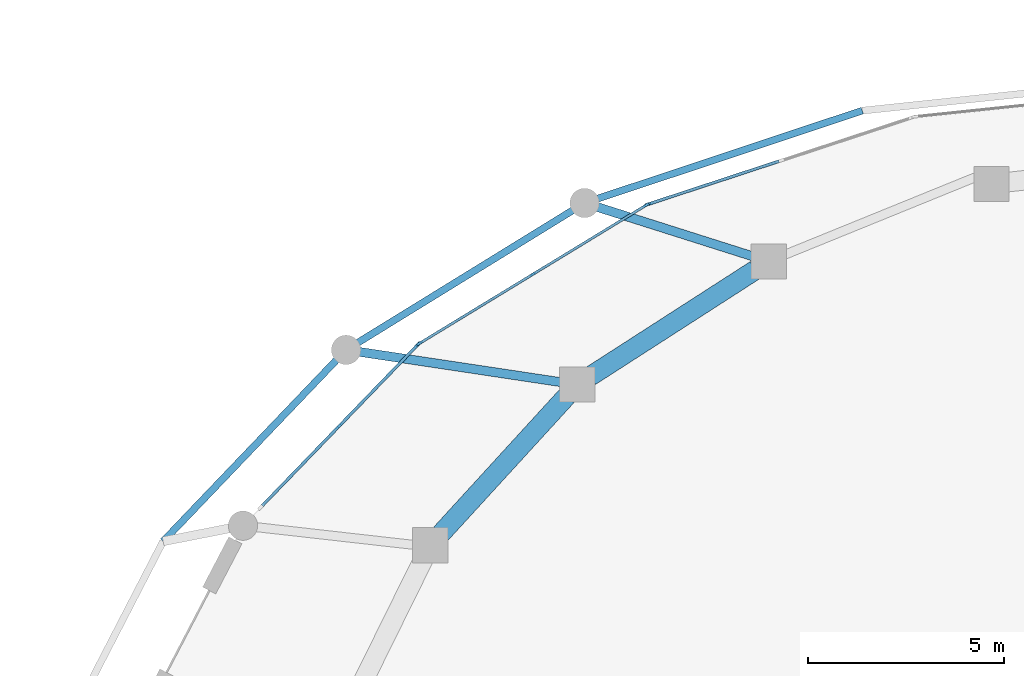
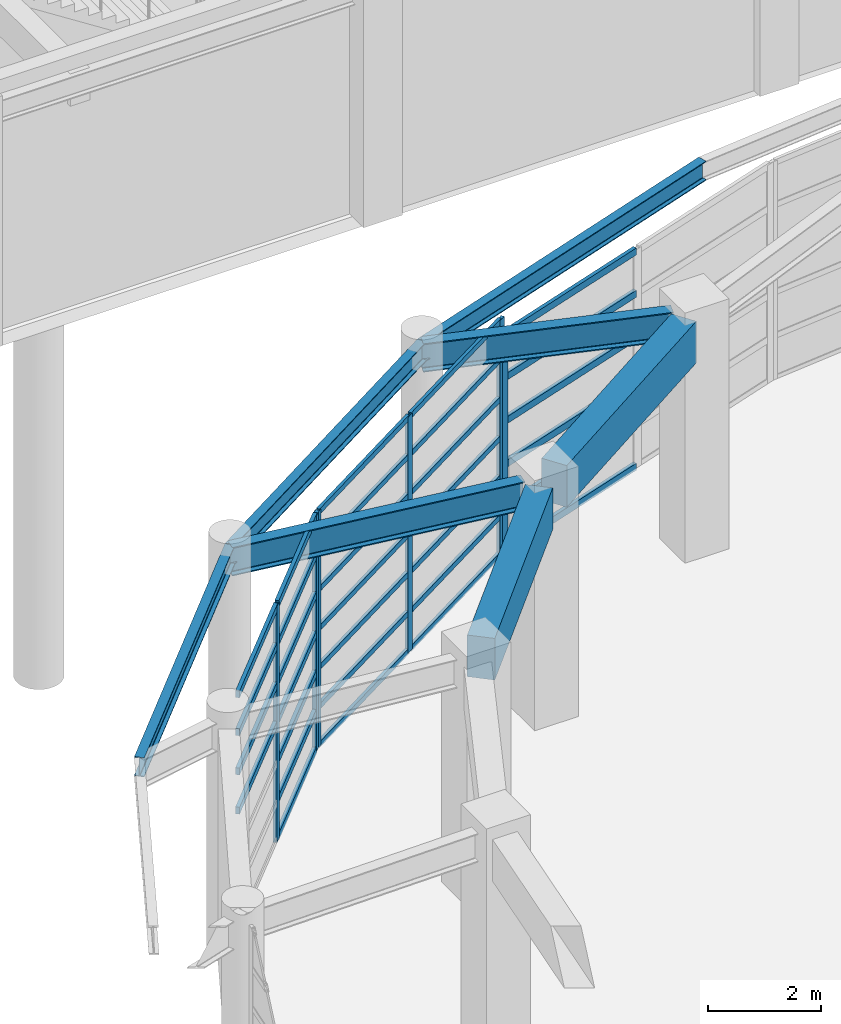
# One storey, part 6 of 52: 37 members, 7 beams, 3 elements without a shape of their own.
"""IFC4 building model written with IfcOpenShell, lengths in metres."""

import ifcopenshell
import ifcopenshell.guid

model = None  # the IFC model being written
_history = None  # IfcOwnerHistory: only IFC2X3 demands one
_inside = {}  # id of a spatial element -> (the spatial element, [elements in it])
_under = {}  # id of a project, library or spatial element -> (it, [spatial elements below it])
_declared = {}  # id of a project -> (the project, [libraries it declares])
_typed = {}  # id of a type object -> (the type object, [elements of that type])
_made_of = {}  # id of a material, layer set ... -> (it, [elements and type objects made of it])


def new_model(schema):
    """Start an empty IFC model of exactly this schema.

    Asked for "IFC4X3", IfcOpenShell would pick the latest addendum, in which some entities
    have other attributes; the version numbers below select the first issue.
    IFC2X3 requires an IfcOwnerHistory on every rooted entity: one is made here for all.
    """
    global model, _history
    if schema == "IFC4X3":
        model = ifcopenshell.file(schema_version=(4, 3, 0, 0))
    else:
        model = ifcopenshell.file(schema=schema)
    _inside.clear()
    _under.clear()
    _declared.clear()
    _typed.clear()
    _made_of.clear()
    _history = None
    if model.schema == "IFC2X3":
        org = make("IfcOrganization", Name="unknown")
        user = make(
            "IfcPersonAndOrganization",
            ThePerson=make("IfcPerson", FamilyName="unknown"),
            TheOrganization=org,
        )
        app = make(
            "IfcApplication",
            ApplicationDeveloper=org,
            Version="unknown",
            ApplicationFullName="unknown",
            ApplicationIdentifier="unknown",
        )
        _history = make(
            "IfcOwnerHistory",
            OwningUser=user,
            OwningApplication=app,
            ChangeAction="ADDED",
            CreationDate=0,
        )
    return model


def make(cls, **values):
    """One entity of the class cls with the attributes given. An attribute that is None is left unset."""
    return model.create_entity(
        cls, **{name: value for name, value in values.items() if value is not None}
    )


def rooted(cls, **values):
    """An entity with a GlobalId (a new one), such as an element, a storey or a relation."""
    return make(cls, GlobalId=ifcopenshell.guid.new(), OwnerHistory=_history, **values)


def si_unit(unit_type, name, prefix=None):
    """IfcSIUnit, for example si_unit("LENGTHUNIT", "METRE", prefix="MILLI")."""
    return make("IfcSIUnit", UnitType=unit_type, Prefix=prefix, Name=name)


def assignment(units):
    """IfcUnitAssignment: the units of a project."""
    return None if units is None else make("IfcUnitAssignment", Units=units)


def point(xyz):
    """IfcCartesianPoint."""
    return None if xyz is None else make("IfcCartesianPoint", Coordinates=xyz)


def direction(xyz):
    """IfcDirection."""
    return None if xyz is None else make("IfcDirection", DirectionRatios=xyz)


def frame(location, z_axis=None, x_axis=None):
    """IfcAxis2Placement3D, a coordinate frame: its origin and axes. An axis left out is left unset."""
    return make(
        "IfcAxis2Placement3D",
        Location=point(location),
        Axis=direction(z_axis),
        RefDirection=direction(x_axis),
    )


def frame_2d(location, x_axis=None):
    """IfcAxis2Placement2D, a coordinate frame in the plane: its origin and x axis."""
    return make(
        "IfcAxis2Placement2D", Location=point(location), RefDirection=direction(x_axis)
    )


def origin():
    """The frame at (0, 0, 0) with its axes left unset."""
    return frame((0.0, 0.0, 0.0))


def origin_2d():
    """The frame at (0, 0) in the plane with its x axis left unset."""
    return frame_2d((0.0, 0.0))


def place(relative_to, where):
    """IfcLocalPlacement: puts the frame where relative to a parent placement (None: the world)."""
    return make(
        "IfcLocalPlacement", PlacementRelTo=relative_to, RelativePlacement=where
    )


def context(
    kind, dimensions, precision=None, world=None, true_north=None, identifier=None
):
    """IfcGeometricRepresentationContext, for example the 3D "Model" context."""
    return make(
        "IfcGeometricRepresentationContext",
        ContextIdentifier=identifier,
        ContextType=kind,
        CoordinateSpaceDimension=dimensions,
        Precision=precision,
        WorldCoordinateSystem=world,
        TrueNorth=true_north,
    )


def subcontext(parent, identifier, kind, view, scale=None):
    """IfcGeometricRepresentationSubContext, for example "Body" below "Model"."""
    return make(
        "IfcGeometricRepresentationSubContext",
        ContextIdentifier=identifier,
        ContextType=kind,
        ParentContext=parent,
        TargetScale=scale,
        TargetView=view,
    )


def project(units=None, contexts=None):
    """IfcProject with its units and contexts."""
    return rooted(
        "IfcProject",
        Name="project",
        RepresentationContexts=contexts,
        UnitsInContext=assignment(units),
    )


def spatial(cls, under=None, at=None, **own):
    """A site, building, storey or space (cls), placed at a placement, below another one or the project."""
    s = rooted(cls, ObjectPlacement=at, **own)
    if under is not None:
        _under.setdefault(under.id(), (under, []))[1].append(s)
    return s


def profile(cls, at=None, kind="AREA", **sizes):
    """A parametric profile (cls). Its sizes go by their IFC names, for example OverallWidth=200.0."""
    return make(cls, ProfileType=kind, Position=at, **sizes)


def rectangle(**sizes):
    """IfcRectangleProfileDef."""
    return profile("IfcRectangleProfileDef", **sizes)


def i_section(**sizes):
    """IfcIShapeProfileDef."""
    return profile("IfcIShapeProfileDef", **sizes)


def extrude(swept, where, along, depth):
    """IfcExtrudedAreaSolid: the profile swept, set in the frame where, extruded along a direction by depth."""
    return make(
        "IfcExtrudedAreaSolid",
        SweptArea=swept,
        Position=where,
        ExtrudedDirection=direction(along),
        Depth=depth,
    )


def shape(context_of_items, identifier, shape_type, items):
    """IfcShapeRepresentation: the items that make up one representation, for example the "Body"."""
    return make(
        "IfcShapeRepresentation",
        ContextOfItems=context_of_items,
        RepresentationIdentifier=identifier,
        RepresentationType=shape_type,
        Items=items,
    )


def material(Name=None, Category=None):
    """IfcMaterial."""
    return make("IfcMaterial", Name=Name, Category=Category)


def material_profile(
    of_material, cross_section, Name=None, Category=None, Priority=None
):
    """IfcMaterialProfile: a cross section and its material."""
    return make(
        "IfcMaterialProfile",
        Name=Name,
        Material=of_material,
        Profile=cross_section,
        Priority=Priority,
        Category=Category,
    )


def profile_set(profiles, Name=None, composite=None):
    """IfcMaterialProfileSet."""
    return make(
        "IfcMaterialProfileSet",
        Name=Name,
        MaterialProfiles=profiles,
        CompositeProfile=composite,
    )


def made_of(thing, what):
    """Note that an element or type object is made of a material, layer set ...; save() writes the relation."""
    if what is not None:
        _made_of.setdefault(what.id(), (what, []))[1].append(thing)
    return thing


def type_object(cls, material=None, **own):
    """A type object (cls), such as IfcWallType, which elements share."""
    return made_of(rooted(cls, **own), material)


def element(
    cls,
    number,
    at=None,
    inside=None,
    cuts=None,
    type_object=None,
    material=None,
    context=None,
    identifier="Body",
    shape_type=None,
    held_by="IfcProductDefinitionShape",
    body=None,
    shapes=None,
    **own,
):
    """One element of the class cls, such as IfcWall. Its Tag is "e" and its number.

    at: its placement. inside: the storey or other place that contains it. cuts: it is an
    opening in that element (IfcRelVoidsElement). A single representation is given by context,
    identifier, shape_type and body (its items); several are given by shapes. held_by: the class
    of the entity that holds the representations. save() writes the other relations.
    """
    e = rooted(cls, Tag="e%d" % number, ObjectPlacement=at, **own)
    if body is not None:
        shapes = [shape(context, identifier, shape_type, body)]
    if shapes is not None:
        e.Representation = make(held_by, Representations=shapes)
    if inside is not None:
        _inside.setdefault(inside.id(), (inside, []))[1].append(e)
    if cuts is not None:
        rooted(
            "IfcRelVoidsElement", RelatingBuildingElement=cuts, RelatedOpeningElement=e
        )
    if type_object is not None:
        _typed.setdefault(type_object.id(), (type_object, []))[1].append(e)
    return made_of(e, material)


def aggregate(whole, parts):
    """IfcRelAggregates: a whole, such as a stair, and the parts it consists of."""
    return rooted("IfcRelAggregates", RelatingObject=whole, RelatedObjects=parts)


def save(model, path):
    """Write the relations noted so far, then the file.

    IfcRelAggregates (storeys below a building ...), IfcRelContainedInSpatialStructure (elements
    in a storey), IfcRelDefinesByType, IfcRelAssociatesMaterial and IfcRelDeclares: one each for
    every whole, place, type object, material and project.
    """
    for whole, parts in _under.values():
        aggregate(whole, parts)
    for where, things in _inside.values():
        rooted(
            "IfcRelContainedInSpatialStructure",
            RelatedElements=things,
            RelatingStructure=where,
        )
    for kind, things in _typed.values():
        rooted("IfcRelDefinesByType", RelatedObjects=things, RelatingType=kind)
    for what, things in _made_of.values():
        rooted("IfcRelAssociatesMaterial", RelatedObjects=things, RelatingMaterial=what)
    for by, libraries in _declared.values():
        rooted("IfcRelDeclares", RelatingContext=by, RelatedDefinitions=libraries)
    model.write(path)


model = new_model("IFC4")

# Units and contexts
model_context = context("Model", 3, precision=1e-05, world=origin(), true_north=direction((0.0, 1.0)))
body_context = subcontext(model_context, "Body", "Model", "MODEL_VIEW")
ifc_project = project(units=[si_unit("LENGTHUNIT", "METRE"), si_unit("AREAUNIT", "SQUARE_METRE"), si_unit("VOLUMEUNIT", "CUBIC_METRE"), si_unit("PLANEANGLEUNIT", "RADIAN"), si_unit("MASSUNIT", "GRAM", prefix="KILO")], contexts=[model_context])

# Site, building, storey
site_placement = place(None, origin())
site = spatial("IfcSite", under=ifc_project, at=site_placement, CompositionType="ELEMENT")
building_placement = place(site_placement, origin())
building = spatial("IfcBuilding", under=site, at=building_placement, Name="Parian Resonance Hall", CompositionType="ELEMENT")
storey_placement = place(building_placement, origin())
storey = spatial("IfcBuildingStorey", under=building, at=storey_placement, Name="L00", CompositionType="ELEMENT", Elevation=0.0)

# Beams
ifc_material_1 = material(Name="Concrete C40/50", Category="concrete")
ifc_material_profile_1 = material_profile(ifc_material_1, rectangle(XDim=0.5, YDim=0.89990234375, at=origin_2d()), Name="RC-BM-500x900")
ifc_profile_set_1 = profile_set([ifc_material_profile_1], Name="Concrete C40/50")
beam_type_1 = type_object("IfcBeamType", Name="BM-RC500x900", PredefinedType="USERDEFINED", material=ifc_profile_set_1)
beam_1_placement = place(storey_placement, frame((31.86376953125, 60.930908203125, 4.679931640625), z_axis=(-0.840822266108, -0.541311293819, 0.0), x_axis=(0.541311293819, -0.840822266108, 0.0)))
element("IfcBeam", 1, at=beam_1_placement, inside=storey, type_object=beam_type_1, Name="Concert hall drum ring beam L00-09", ObjectType="GIRDER", PredefinedType="USERDEFINED", context=body_context, shape_type="SweptSolid", body=[
    extrude(rectangle(XDim=0.5, YDim=0.89990234375, at=origin_2d()), origin(), (0.0, 0.0, 1.0), 5.012939453125),
])
beam_2_placement = place(storey_placement, frame((27.042236328125, 57.70556640625, 4.679931640625), z_axis=(-0.674892190981, -0.737916343872, 0.0), x_axis=(0.737916343872, -0.674892190981, 0.0)))
element("IfcBeam", 2, at=beam_2_placement, inside=storey, type_object=beam_type_1, Name="Concert hall drum ring beam L00-10", ObjectType="GIRDER", PredefinedType="USERDEFINED", context=body_context, shape_type="SweptSolid", body=[
    extrude(rectangle(XDim=0.5, YDim=0.89990234375, at=origin_2d()), origin(), (0.0, 0.0, 1.0), 4.757080078125),
])
ifc_material_2 = material(Name="Steel S355", Category="steel")
ifc_material_profile_2 = material_profile(ifc_material_2, i_section(OverallWidth=0.180908203125, OverallDepth=0.4169921875, WebThickness=0.010986328125, FlangeThickness=0.018310546875, FilletRadius=0.01513671875, at=origin_2d()), Name="W410x85")
ifc_profile_set_2 = profile_set([ifc_material_profile_2], Name="Steel S355")
beam_type_2 = type_object("IfcBeamType", Name="BM-W410x85", PredefinedType="SPANDREL", material=ifc_profile_set_2)
beam_3_placement = place(storey_placement, frame((34.5908203125, 64.995849609375, 4.92138671875), z_axis=(-0.94892153281, -0.315512162317, 0.0), x_axis=(0.315512162317, -0.94892153281, 0.0)))
element("IfcBeam", 3, at=beam_3_placement, inside=storey, type_object=beam_type_2, Name="Elliptical R1 perimeter spandrel beam 08", PredefinedType="SPANDREL", context=body_context, shape_type="SweptSolid", body=[
    extrude(i_section(OverallWidth=0.180908203125, OverallDepth=0.4169921875, WebThickness=0.010986328125, FlangeThickness=0.018310546875, FilletRadius=0.01513671875, at=origin_2d()), origin(), (0.0, 0.0, 1.0), 7.472412109375),
])
beam_4_placement = place(storey_placement, frame((27.5, 62.63818359375, 4.92138671875), z_axis=(-0.851440218802, -0.524451669657, 0.0), x_axis=(0.524451669657, -0.851440218802, 0.0)))
element("IfcBeam", 4, at=beam_4_placement, inside=storey, type_object=beam_type_2, Name="Elliptical R1 perimeter spandrel beam 09", PredefinedType="SPANDREL", context=body_context, shape_type="SweptSolid", body=[
    extrude(i_section(OverallWidth=0.180908203125, OverallDepth=0.4169921875, WebThickness=0.010986328125, FlangeThickness=0.018310546875, FilletRadius=0.01513671875, at=origin_2d()), origin(), (0.0, 0.0, 1.0), 7.1513671875),
])
beam_5_placement = place(storey_placement, frame((21.4111328125, 58.8876953125, 4.92138671875), z_axis=(-0.690985683524, -0.722868442502, 0.0), x_axis=(0.722868442502, -0.690985683524, 0.0)))
element("IfcBeam", 5, at=beam_5_placement, inside=storey, type_object=beam_type_2, Name="Elliptical R1 perimeter spandrel beam 10", PredefinedType="SPANDREL", context=body_context, shape_type="SweptSolid", body=[
    extrude(i_section(OverallWidth=0.180908203125, OverallDepth=0.4169921875, WebThickness=0.010986328125, FlangeThickness=0.018310546875, FilletRadius=0.01513671875, at=origin_2d()), origin(), (0.0, 0.0, 1.0), 6.761474609375),
])
ifc_material_3 = material(Name="Steel S355", Category="steel")
ifc_material_profile_3 = material_profile(ifc_material_3, i_section(OverallWidth=0.22998046875, OverallDepth=0.616943359375, WebThickness=0.01318359375, FlangeThickness=0.022216796875, FilletRadius=0.017822265625, at=origin_2d()), Name="W610x140")
ifc_profile_set_3 = profile_set([ifc_material_profile_3], Name="Steel S355")
beam_type_3 = type_object("IfcBeamType", Name="CG1 W610x140", PredefinedType="USERDEFINED", material=ifc_profile_set_3)
beam_6_placement = place(storey_placement, frame((31.818603515625, 61.268310546875, 4.821533203125), z_axis=(-0.953195036993, 0.302356116941, 0.0), x_axis=(-0.302356116941, -0.953195036993, 0.0)))
element("IfcBeam", 6, at=beam_6_placement, inside=storey, type_object=beam_type_3, Name="Radial spine girder R1-09", ObjectType="GIRDER", PredefinedType="USERDEFINED", context=body_context, shape_type="SweptSolid", body=[
    extrude(i_section(OverallWidth=0.22998046875, OverallDepth=0.616943359375, WebThickness=0.01318359375, FlangeThickness=0.022216796875, FilletRadius=0.017822265625, at=origin_2d()), origin(), (0.0, 0.0, 1.0), 4.53076171875),
])
beam_7_placement = place(storey_placement, frame((26.916748046875, 58.060302734375, 4.821533203125), z_axis=(-0.988895465918, 0.148612776994, 0.0), x_axis=(-0.148612776994, -0.988895465918, 0.0)))
element("IfcBeam", 7, at=beam_7_placement, inside=storey, type_object=beam_type_3, Name="Radial spine girder R1-10", ObjectType="GIRDER", PredefinedType="USERDEFINED", context=body_context, shape_type="SweptSolid", body=[
    extrude(i_section(OverallWidth=0.22998046875, OverallDepth=0.616943359375, WebThickness=0.01318359375, FlangeThickness=0.022216796875, FilletRadius=0.017822265625, at=origin_2d()), origin(), (0.0, 0.0, 1.0), 5.5673828125),
])

# Curtain wall, members
ifc_material_4 = material(Name="Bronze-anodised aluminium frame", Category="aluminium")
curtain_wall_type_1 = type_object("IfcCurtainWallType", Name="CW-SYS-03", PredefinedType="NOTDEFINED", material=ifc_material_4)
curtain_wall_1_placement = place(storey_placement, origin())
curtain_wall_1 = element("IfcCurtainWall", 8, at=curtain_wall_1_placement, inside=storey, type_object=curtain_wall_type_1, Name="Grand foyer recessed base curtain wall 09", PredefinedType="NOTDEFINED")
ifc_material_5 = material(Name="Bronze-anodised aluminium frame", Category="aluminium")
ifc_material_profile_4 = material_profile(ifc_material_5, rectangle(XDim=0.06494140625, YDim=0.159912109375, at=origin_2d()), Name="CWM-65x160")
ifc_profile_set_4 = profile_set([ifc_material_profile_4], Name="Bronze-anodised aluminium frame")
member_type_1 = type_object("IfcMemberType", Name="CWM-65x160", PredefinedType="MULLION", material=ifc_profile_set_4)
member_1_placement = place(storey_placement, frame((23.287353515625, 59.05615234375, -0.008056640625), z_axis=(0.0, 0.0, 1.0), x_axis=(-0.520456127538, 0.853888411508, 0.0)))
member_1 = element("IfcMember", 9, at=member_1_placement, type_object=member_type_1, Name="CW-03 mullion 1", PredefinedType="MULLION", context=body_context, shape_type="SweptSolid", body=[
    extrude(rectangle(XDim=0.06494140625, YDim=0.159912109375, at=origin_2d()), origin(), (0.0, 0.0, 1.0), 5.09814453125),
])
member_2_placement = place(storey_placement, frame((26.1796875, 60.819091796875, -0.008056640625), z_axis=(0.0, 0.0, 1.0), x_axis=(-0.520456127538, 0.853888411508, 0.0)))
member_2 = element("IfcMember", 10, at=member_2_placement, type_object=member_type_1, Name="CW-03 mullion 2", PredefinedType="MULLION", context=body_context, shape_type="SweptSolid", body=[
    extrude(rectangle(XDim=0.06494140625, YDim=0.159912109375, at=origin_2d()), origin(), (0.0, 0.0, 1.0), 5.09814453125),
])
member_3_placement = place(storey_placement, frame((29.072265625, 62.58203125, -0.008056640625), z_axis=(0.0, 0.0, 1.0), x_axis=(-0.520456127538, 0.853888411508, 0.0)))
member_3 = element("IfcMember", 11, at=member_3_placement, type_object=member_type_1, Name="CW-03 mullion 3", PredefinedType="MULLION", context=body_context, shape_type="SweptSolid", body=[
    extrude(rectangle(XDim=0.06494140625, YDim=0.159912109375, at=origin_2d()), origin(), (0.0, 0.0, 1.0), 5.09814453125),
])

# Curtain wall, member
ifc_material_6 = material(Name="Bronze-anodised aluminium frame", Category="aluminium")
curtain_wall_type_2 = type_object("IfcCurtainWallType", Name="CW-SYS-02", PredefinedType="NOTDEFINED", material=ifc_material_6)
curtain_wall_2_placement = place(storey_placement, origin())
curtain_wall_2 = element("IfcCurtainWall", 12, at=curtain_wall_2_placement, inside=storey, type_object=curtain_wall_type_2, Name="Grand foyer recessed base curtain wall 08", PredefinedType="NOTDEFINED")
ifc_material_7 = material(Name="Bronze-anodised aluminium frame", Category="aluminium")
ifc_material_profile_5 = material_profile(ifc_material_7, rectangle(XDim=0.074951171875, YDim=0.199951171875, at=origin_2d()), Name="CWM-75x200")
ifc_profile_set_5 = profile_set([ifc_material_profile_5], Name="Bronze-anodised aluminium frame")
member_type_2 = type_object("IfcMemberType", Name="CWM-75x200", PredefinedType="MULLION", material=ifc_profile_set_5)
member_4_placement = place(storey_placement, frame((29.1357421875, 62.61083984375, -0.008056640625), z_axis=(0.0, 0.0, 1.0), x_axis=(-0.312529813739, 0.94990795108, 0.0)))
member_4 = element("IfcMember", 13, at=member_4_placement, type_object=member_type_2, Name="CW-02 mullion 1", PredefinedType="MULLION", context=body_context, shape_type="SweptSolid", body=[
    extrude(rectangle(XDim=0.074951171875, YDim=0.199951171875, at=origin_2d()), origin(), (0.0, 0.0, 1.0), 4.72509765625),
])

# Curtain wall, members
ifc_material_8 = material(Name="Bronze-anodised aluminium frame", Category="aluminium")
curtain_wall_type_3 = type_object("IfcCurtainWallType", Name="CW-SYS-04", PredefinedType="NOTDEFINED", material=ifc_material_8)
curtain_wall_3_placement = place(storey_placement, origin())
curtain_wall_3 = element("IfcCurtainWall", 14, at=curtain_wall_3_placement, inside=storey, type_object=curtain_wall_type_3, Name="Grand foyer recessed base curtain wall 10", PredefinedType="NOTDEFINED")
member_5_placement = place(storey_placement, frame((21.238525390625, 56.947021484375, -0.008056640625), z_axis=(0.0, 0.0, 1.0), x_axis=(-0.719222544122, 0.694779772322, 0.0)))
member_5 = element("IfcMember", 15, at=member_5_placement, type_object=member_type_2, Name="CW-04 mullion 2", PredefinedType="MULLION", context=body_context, shape_type="SweptSolid", body=[
    extrude(rectangle(XDim=0.074951171875, YDim=0.199951171875, at=origin_2d()), origin(), (0.0, 0.0, 1.0), 5.09814453125),
])
member_6_placement = place(storey_placement, frame((23.233642578125, 59.01220703125, -0.008056640625), z_axis=(0.0, 0.0, 1.0), x_axis=(-0.719222544122, 0.694779772322, 0.0)))
member_6 = element("IfcMember", 16, at=member_6_placement, type_object=member_type_2, Name="CW-04 mullion 3", PredefinedType="MULLION", context=body_context, shape_type="SweptSolid", body=[
    extrude(rectangle(XDim=0.074951171875, YDim=0.199951171875, at=origin_2d()), origin(), (0.0, 0.0, 1.0), 5.09814453125),
])

# Member
ifc_material_9 = material(Name="Bronze-anodised aluminium frame", Category="aluminium")
ifc_material_profile_6 = material_profile(ifc_material_9, rectangle(XDim=0.06494140625, YDim=0.1201171875, at=origin_2d()), Name="CWT-65x120")
ifc_profile_set_6 = profile_set([ifc_material_profile_6], Name="Bronze-anodised aluminium frame")
member_type_3 = type_object("IfcMemberType", Name="CWT-65x120", PredefinedType="USERDEFINED", material=ifc_profile_set_6)
member_7_placement = place(storey_placement, frame((23.315185546875, 59.072998046875, 0.0244140625), z_axis=(0.853873441532, 0.520480687295, 0.0), x_axis=(-0.520480687295, 0.853873441532, 0.0)))
member_7 = element("IfcMember", 17, at=member_7_placement, type_object=member_type_3, Name="CW-03 transom 1.1", ObjectType="TRANSOM", PredefinedType="USERDEFINED", context=body_context, shape_type="SweptSolid", body=[
    extrude(rectangle(XDim=0.06494140625, YDim=0.1201171875, at=origin_2d()), origin(), (0.0, 0.0, 1.0), 3.322509765625),
])

member_8_placement = place(storey_placement, frame((23.315185546875, 59.072998046875, 0.8466796875), z_axis=(0.853873441532, 0.520480687295, 0.0), x_axis=(-0.520480687295, 0.853873441532, 0.0)))
member_8 = element("IfcMember", 18, at=member_8_placement, type_object=member_type_3, Name="CW-03 transom 1.2", ObjectType="TRANSOM", PredefinedType="USERDEFINED", context=body_context, shape_type="SweptSolid", body=[
    extrude(rectangle(XDim=0.06494140625, YDim=0.1201171875, at=origin_2d()), origin(), (0.0, 0.0, 1.0), 3.322509765625),
])

member_9_placement = place(storey_placement, frame((23.315185546875, 59.072998046875, 1.693359375), z_axis=(0.853873441532, 0.520480687295, 0.0), x_axis=(-0.520480687295, 0.853873441532, 0.0)))
member_9 = element("IfcMember", 19, at=member_9_placement, type_object=member_type_3, Name="CW-03 transom 1.3", ObjectType="TRANSOM", PredefinedType="USERDEFINED", context=body_context, shape_type="SweptSolid", body=[
    extrude(rectangle(XDim=0.06494140625, YDim=0.1201171875, at=origin_2d()), origin(), (0.0, 0.0, 1.0), 3.322509765625),
])

member_10_placement = place(storey_placement, frame((23.315185546875, 59.072998046875, 2.5400390625), z_axis=(0.853873441532, 0.520480687295, 0.0), x_axis=(-0.520480687295, 0.853873441532, 0.0)))
member_10 = element("IfcMember", 20, at=member_10_placement, type_object=member_type_3, Name="CW-03 transom 1.4", ObjectType="TRANSOM", PredefinedType="USERDEFINED", context=body_context, shape_type="SweptSolid", body=[
    extrude(rectangle(XDim=0.06494140625, YDim=0.1201171875, at=origin_2d()), origin(), (0.0, 0.0, 1.0), 3.322509765625),
])

member_11_placement = place(storey_placement, frame((23.315185546875, 59.072998046875, 3.38671875), z_axis=(0.853873441532, 0.520480687295, 0.0), x_axis=(-0.520480687295, 0.853873441532, 0.0)))
member_11 = element("IfcMember", 21, at=member_11_placement, type_object=member_type_3, Name="CW-03 transom 1.5", ObjectType="TRANSOM", PredefinedType="USERDEFINED", context=body_context, shape_type="SweptSolid", body=[
    extrude(rectangle(XDim=0.06494140625, YDim=0.1201171875, at=origin_2d()), origin(), (0.0, 0.0, 1.0), 3.322509765625),
])

member_12_placement = place(storey_placement, frame((23.315185546875, 59.072998046875, 4.2333984375), z_axis=(0.853873441532, 0.520480687295, 0.0), x_axis=(-0.520480687295, 0.853873441532, 0.0)))
member_12 = element("IfcMember", 22, at=member_12_placement, type_object=member_type_3, Name="CW-03 transom 1.6", ObjectType="TRANSOM", PredefinedType="USERDEFINED", context=body_context, shape_type="SweptSolid", body=[
    extrude(rectangle(XDim=0.06494140625, YDim=0.1201171875, at=origin_2d()), origin(), (0.0, 0.0, 1.0), 3.322509765625),
])

member_13_placement = place(storey_placement, frame((23.315185546875, 59.072998046875, 5.0576171875), z_axis=(0.853873441532, 0.520480687295, 0.0), x_axis=(-0.520480687295, 0.853873441532, 0.0)))
member_13 = element("IfcMember", 23, at=member_13_placement, type_object=member_type_3, Name="CW-03 transom 1.7", ObjectType="TRANSOM", PredefinedType="USERDEFINED", context=body_context, shape_type="SweptSolid", body=[
    extrude(rectangle(XDim=0.06494140625, YDim=0.1201171875, at=origin_2d()), origin(), (0.0, 0.0, 1.0), 3.322509765625),
])

member_14_placement = place(storey_placement, frame((26.20751953125, 60.8359375, 0.0244140625), z_axis=(0.853873441532, 0.520480687295, 0.0), x_axis=(-0.520480687295, 0.853873441532, 0.0)))
member_14 = element("IfcMember", 24, at=member_14_placement, type_object=member_type_3, Name="CW-03 transom 2.1", ObjectType="TRANSOM", PredefinedType="USERDEFINED", context=body_context, shape_type="SweptSolid", body=[
    extrude(rectangle(XDim=0.06494140625, YDim=0.1201171875, at=origin_2d()), origin(), (0.0, 0.0, 1.0), 3.322509765625),
])

member_15_placement = place(storey_placement, frame((26.20751953125, 60.8359375, 0.8466796875), z_axis=(0.853873441532, 0.520480687295, 0.0), x_axis=(-0.520480687295, 0.853873441532, 0.0)))
member_15 = element("IfcMember", 25, at=member_15_placement, type_object=member_type_3, Name="CW-03 transom 2.2", ObjectType="TRANSOM", PredefinedType="USERDEFINED", context=body_context, shape_type="SweptSolid", body=[
    extrude(rectangle(XDim=0.06494140625, YDim=0.1201171875, at=origin_2d()), origin(), (0.0, 0.0, 1.0), 3.322509765625),
])

member_16_placement = place(storey_placement, frame((26.20751953125, 60.8359375, 1.693359375), z_axis=(0.853873441532, 0.520480687295, 0.0), x_axis=(-0.520480687295, 0.853873441532, 0.0)))
member_16 = element("IfcMember", 26, at=member_16_placement, type_object=member_type_3, Name="CW-03 transom 2.3", ObjectType="TRANSOM", PredefinedType="USERDEFINED", context=body_context, shape_type="SweptSolid", body=[
    extrude(rectangle(XDim=0.06494140625, YDim=0.1201171875, at=origin_2d()), origin(), (0.0, 0.0, 1.0), 3.322509765625),
])

member_17_placement = place(storey_placement, frame((26.20751953125, 60.8359375, 2.5400390625), z_axis=(0.853873441532, 0.520480687295, 0.0), x_axis=(-0.520480687295, 0.853873441532, 0.0)))
member_17 = element("IfcMember", 27, at=member_17_placement, type_object=member_type_3, Name="CW-03 transom 2.4", ObjectType="TRANSOM", PredefinedType="USERDEFINED", context=body_context, shape_type="SweptSolid", body=[
    extrude(rectangle(XDim=0.06494140625, YDim=0.1201171875, at=origin_2d()), origin(), (0.0, 0.0, 1.0), 3.322509765625),
])

member_18_placement = place(storey_placement, frame((26.20751953125, 60.8359375, 3.38671875), z_axis=(0.853873441532, 0.520480687295, 0.0), x_axis=(-0.520480687295, 0.853873441532, 0.0)))
member_18 = element("IfcMember", 28, at=member_18_placement, type_object=member_type_3, Name="CW-03 transom 2.5", ObjectType="TRANSOM", PredefinedType="USERDEFINED", context=body_context, shape_type="SweptSolid", body=[
    extrude(rectangle(XDim=0.06494140625, YDim=0.1201171875, at=origin_2d()), origin(), (0.0, 0.0, 1.0), 3.322509765625),
])

member_19_placement = place(storey_placement, frame((26.20751953125, 60.8359375, 4.2333984375), z_axis=(0.853873441532, 0.520480687295, 0.0), x_axis=(-0.520480687295, 0.853873441532, 0.0)))
member_19 = element("IfcMember", 29, at=member_19_placement, type_object=member_type_3, Name="CW-03 transom 2.6", ObjectType="TRANSOM", PredefinedType="USERDEFINED", context=body_context, shape_type="SweptSolid", body=[
    extrude(rectangle(XDim=0.06494140625, YDim=0.1201171875, at=origin_2d()), origin(), (0.0, 0.0, 1.0), 3.322509765625),
])

member_20_placement = place(storey_placement, frame((26.20751953125, 60.8359375, 5.0576171875), z_axis=(0.853873441532, 0.520480687295, 0.0), x_axis=(-0.520480687295, 0.853873441532, 0.0)))
member_20 = element("IfcMember", 30, at=member_20_placement, type_object=member_type_3, Name="CW-03 transom 2.7", ObjectType="TRANSOM", PredefinedType="USERDEFINED", context=body_context, shape_type="SweptSolid", body=[
    extrude(rectangle(XDim=0.06494140625, YDim=0.1201171875, at=origin_2d()), origin(), (0.0, 0.0, 1.0), 3.322509765625),
])

aggregate(curtain_wall_1, [member_1, member_2, member_3, member_7, member_8, member_9, member_10, member_11, member_12, member_13, member_14, member_15, member_16, member_17, member_18, member_19, member_20])

ifc_material_10 = material(Name="Bronze-anodised aluminium frame", Category="aluminium")
ifc_material_profile_7 = material_profile(ifc_material_10, rectangle(XDim=0.074951171875, YDim=0.14990234375, at=origin_2d()), Name="CWT-75x150")
ifc_profile_set_7 = profile_set([ifc_material_profile_7], Name="Bronze-anodised aluminium frame")
member_type_4 = type_object("IfcMemberType", Name="CWT-75x150", PredefinedType="USERDEFINED", material=ifc_profile_set_7)
member_21_placement = place(storey_placement, frame((29.171142578125, 62.62255859375, 0.029541015625), z_axis=(0.949929089698, 0.312465557373, 0.0), x_axis=(-0.312465557373, 0.949929089698, 0.0)))
member_21 = element("IfcMember", 31, at=member_21_placement, type_object=member_type_4, Name="CW-02 transom 1.1", ObjectType="TRANSOM", PredefinedType="USERDEFINED", context=body_context, shape_type="SweptSolid", body=[
    extrude(rectangle(XDim=0.074951171875, YDim=0.14990234375, at=origin_2d()), origin(), (0.0, 0.0, 1.0), 3.467529296875),
])

member_22_placement = place(storey_placement, frame((29.171142578125, 62.62255859375, 0.94140625), z_axis=(0.949929089698, 0.312465557373, 0.0), x_axis=(-0.312465557373, 0.949929089698, 0.0)))
member_22 = element("IfcMember", 32, at=member_22_placement, type_object=member_type_4, Name="CW-02 transom 1.2", ObjectType="TRANSOM", PredefinedType="USERDEFINED", context=body_context, shape_type="SweptSolid", body=[
    extrude(rectangle(XDim=0.074951171875, YDim=0.14990234375, at=origin_2d()), origin(), (0.0, 0.0, 1.0), 3.467529296875),
])

member_23_placement = place(storey_placement, frame((29.171142578125, 62.62255859375, 1.8828125), z_axis=(0.949929089698, 0.312465557373, 0.0), x_axis=(-0.312465557373, 0.949929089698, 0.0)))
member_23 = element("IfcMember", 33, at=member_23_placement, type_object=member_type_4, Name="CW-02 transom 1.3", ObjectType="TRANSOM", PredefinedType="USERDEFINED", context=body_context, shape_type="SweptSolid", body=[
    extrude(rectangle(XDim=0.074951171875, YDim=0.14990234375, at=origin_2d()), origin(), (0.0, 0.0, 1.0), 3.467529296875),
])

member_24_placement = place(storey_placement, frame((29.171142578125, 62.62255859375, 2.82421875), z_axis=(0.949929089698, 0.312465557373, 0.0), x_axis=(-0.312465557373, 0.949929089698, 0.0)))
member_24 = element("IfcMember", 34, at=member_24_placement, type_object=member_type_4, Name="CW-02 transom 1.4", ObjectType="TRANSOM", PredefinedType="USERDEFINED", context=body_context, shape_type="SweptSolid", body=[
    extrude(rectangle(XDim=0.074951171875, YDim=0.14990234375, at=origin_2d()), origin(), (0.0, 0.0, 1.0), 3.467529296875),
])

member_25_placement = place(storey_placement, frame((29.171142578125, 62.62255859375, 3.765625), z_axis=(0.949929089698, 0.312465557373, 0.0), x_axis=(-0.312465557373, 0.949929089698, 0.0)))
member_25 = element("IfcMember", 35, at=member_25_placement, type_object=member_type_4, Name="CW-02 transom 1.5", ObjectType="TRANSOM", PredefinedType="USERDEFINED", context=body_context, shape_type="SweptSolid", body=[
    extrude(rectangle(XDim=0.074951171875, YDim=0.14990234375, at=origin_2d()), origin(), (0.0, 0.0, 1.0), 3.467529296875),
])

member_26_placement = place(storey_placement, frame((29.171142578125, 62.62255859375, 4.679443359375), z_axis=(0.949929089698, 0.312465557373, 0.0), x_axis=(-0.312465557373, 0.949929089698, 0.0)))
member_26 = element("IfcMember", 36, at=member_26_placement, type_object=member_type_4, Name="CW-02 transom 1.6", ObjectType="TRANSOM", PredefinedType="USERDEFINED", context=body_context, shape_type="SweptSolid", body=[
    extrude(rectangle(XDim=0.074951171875, YDim=0.14990234375, at=origin_2d()), origin(), (0.0, 0.0, 1.0), 3.467529296875),
])

aggregate(curtain_wall_2, [member_4, member_21, member_22, member_23, member_24, member_25, member_26])

member_27_placement = place(storey_placement, frame((19.269775390625, 54.908935546875, 2.5400390625), z_axis=(0.694778343279, 0.719223924596, 0.0), x_axis=(-0.719223924596, 0.694778343279, 0.0)))
member_27 = element("IfcMember", 37, at=member_27_placement, type_object=member_type_4, Name="CW-04 transom 1.4", ObjectType="TRANSOM", PredefinedType="USERDEFINED", context=body_context, shape_type="SweptSolid", body=[
    extrude(rectangle(XDim=0.074951171875, YDim=0.14990234375, at=origin_2d()), origin(), (0.0, 0.0, 1.0), 2.79638671875),
])

member_28_placement = place(storey_placement, frame((19.269775390625, 54.908935546875, 3.38671875), z_axis=(0.694778343279, 0.719223924596, 0.0), x_axis=(-0.719223924596, 0.694778343279, 0.0)))
member_28 = element("IfcMember", 38, at=member_28_placement, type_object=member_type_4, Name="CW-04 transom 1.5", ObjectType="TRANSOM", PredefinedType="USERDEFINED", context=body_context, shape_type="SweptSolid", body=[
    extrude(rectangle(XDim=0.074951171875, YDim=0.14990234375, at=origin_2d()), origin(), (0.0, 0.0, 1.0), 2.79638671875),
])

member_29_placement = place(storey_placement, frame((19.269775390625, 54.908935546875, 4.2333984375), z_axis=(0.694778343279, 0.719223924596, 0.0), x_axis=(-0.719223924596, 0.694778343279, 0.0)))
member_29 = element("IfcMember", 39, at=member_29_placement, type_object=member_type_4, Name="CW-04 transom 1.6", ObjectType="TRANSOM", PredefinedType="USERDEFINED", context=body_context, shape_type="SweptSolid", body=[
    extrude(rectangle(XDim=0.074951171875, YDim=0.14990234375, at=origin_2d()), origin(), (0.0, 0.0, 1.0), 2.79638671875),
])

member_30_placement = place(storey_placement, frame((19.269775390625, 54.908935546875, 5.052490234375), z_axis=(0.694778343279, 0.719223924596, 0.0), x_axis=(-0.719223924596, 0.694778343279, 0.0)))
member_30 = element("IfcMember", 40, at=member_30_placement, type_object=member_type_4, Name="CW-04 transom 1.7", ObjectType="TRANSOM", PredefinedType="USERDEFINED", context=body_context, shape_type="SweptSolid", body=[
    extrude(rectangle(XDim=0.074951171875, YDim=0.14990234375, at=origin_2d()), origin(), (0.0, 0.0, 1.0), 2.79638671875),
])

member_31_placement = place(storey_placement, frame((21.2646484375, 56.97412109375, 0.029541015625), z_axis=(0.694778343279, 0.719223924596, 0.0), x_axis=(-0.719223924596, 0.694778343279, 0.0)))
member_31 = element("IfcMember", 41, at=member_31_placement, type_object=member_type_4, Name="CW-04 transom 2.1", ObjectType="TRANSOM", PredefinedType="USERDEFINED", context=body_context, shape_type="SweptSolid", body=[
    extrude(rectangle(XDim=0.074951171875, YDim=0.14990234375, at=origin_2d()), origin(), (0.0, 0.0, 1.0), 2.79638671875),
])

member_32_placement = place(storey_placement, frame((21.2646484375, 56.97412109375, 0.8466796875), z_axis=(0.694778343279, 0.719223924596, 0.0), x_axis=(-0.719223924596, 0.694778343279, 0.0)))
member_32 = element("IfcMember", 42, at=member_32_placement, type_object=member_type_4, Name="CW-04 transom 2.2", ObjectType="TRANSOM", PredefinedType="USERDEFINED", context=body_context, shape_type="SweptSolid", body=[
    extrude(rectangle(XDim=0.074951171875, YDim=0.14990234375, at=origin_2d()), origin(), (0.0, 0.0, 1.0), 2.79638671875),
])

member_33_placement = place(storey_placement, frame((21.2646484375, 56.97412109375, 1.693359375), z_axis=(0.694778343279, 0.719223924596, 0.0), x_axis=(-0.719223924596, 0.694778343279, 0.0)))
member_33 = element("IfcMember", 43, at=member_33_placement, type_object=member_type_4, Name="CW-04 transom 2.3", ObjectType="TRANSOM", PredefinedType="USERDEFINED", context=body_context, shape_type="SweptSolid", body=[
    extrude(rectangle(XDim=0.074951171875, YDim=0.14990234375, at=origin_2d()), origin(), (0.0, 0.0, 1.0), 2.79638671875),
])

member_34_placement = place(storey_placement, frame((21.2646484375, 56.97412109375, 2.5400390625), z_axis=(0.694778343279, 0.719223924596, 0.0), x_axis=(-0.719223924596, 0.694778343279, 0.0)))
member_34 = element("IfcMember", 44, at=member_34_placement, type_object=member_type_4, Name="CW-04 transom 2.4", ObjectType="TRANSOM", PredefinedType="USERDEFINED", context=body_context, shape_type="SweptSolid", body=[
    extrude(rectangle(XDim=0.074951171875, YDim=0.14990234375, at=origin_2d()), origin(), (0.0, 0.0, 1.0), 2.79638671875),
])

member_35_placement = place(storey_placement, frame((21.2646484375, 56.97412109375, 3.38671875), z_axis=(0.694778343279, 0.719223924596, 0.0), x_axis=(-0.719223924596, 0.694778343279, 0.0)))
member_35 = element("IfcMember", 45, at=member_35_placement, type_object=member_type_4, Name="CW-04 transom 2.5", ObjectType="TRANSOM", PredefinedType="USERDEFINED", context=body_context, shape_type="SweptSolid", body=[
    extrude(rectangle(XDim=0.074951171875, YDim=0.14990234375, at=origin_2d()), origin(), (0.0, 0.0, 1.0), 2.79638671875),
])

member_36_placement = place(storey_placement, frame((21.2646484375, 56.97412109375, 4.2333984375), z_axis=(0.694778343279, 0.719223924596, 0.0), x_axis=(-0.719223924596, 0.694778343279, 0.0)))
member_36 = element("IfcMember", 46, at=member_36_placement, type_object=member_type_4, Name="CW-04 transom 2.6", ObjectType="TRANSOM", PredefinedType="USERDEFINED", context=body_context, shape_type="SweptSolid", body=[
    extrude(rectangle(XDim=0.074951171875, YDim=0.14990234375, at=origin_2d()), origin(), (0.0, 0.0, 1.0), 2.79638671875),
])

member_37_placement = place(storey_placement, frame((21.2646484375, 56.97412109375, 5.052490234375), z_axis=(0.694778343279, 0.719223924596, 0.0), x_axis=(-0.719223924596, 0.694778343279, 0.0)))
member_37 = element("IfcMember", 47, at=member_37_placement, type_object=member_type_4, Name="CW-04 transom 2.7", ObjectType="TRANSOM", PredefinedType="USERDEFINED", context=body_context, shape_type="SweptSolid", body=[
    extrude(rectangle(XDim=0.074951171875, YDim=0.14990234375, at=origin_2d()), origin(), (0.0, 0.0, 1.0), 2.79638671875),
])

aggregate(curtain_wall_3, [member_5, member_6, member_27, member_28, member_29, member_30, member_31, member_32, member_33, member_34, member_35, member_36, member_37])

save(model, "model.ifc")
